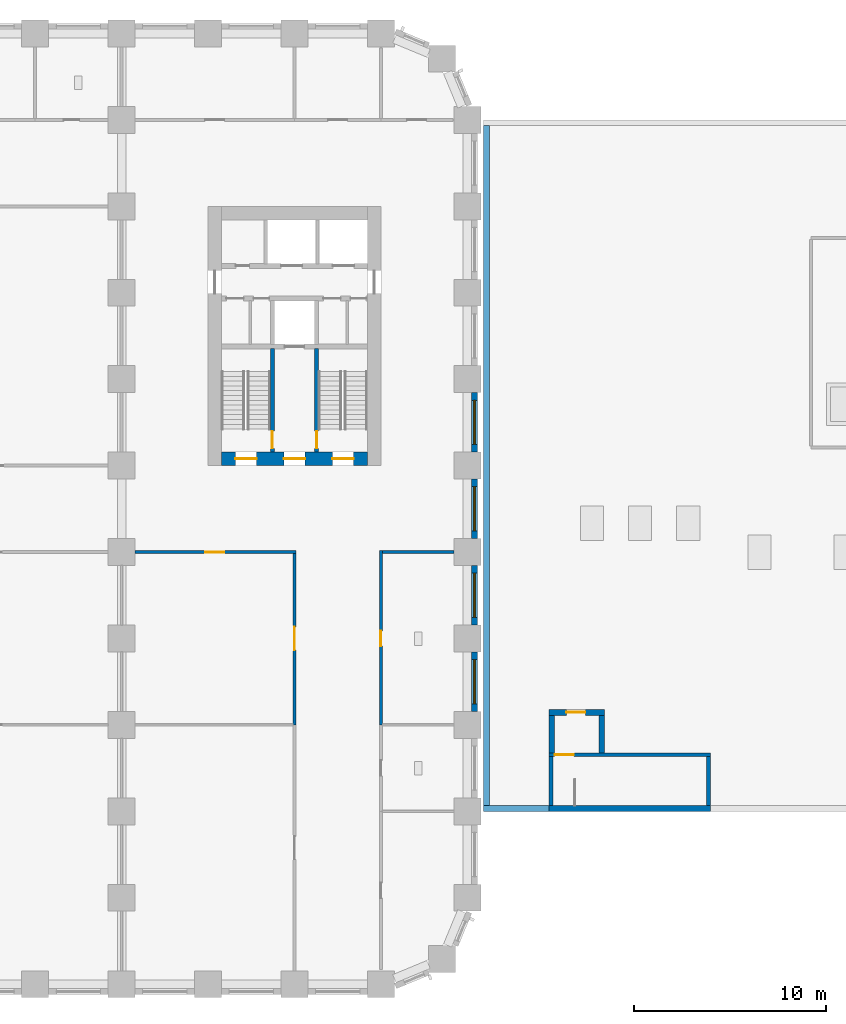
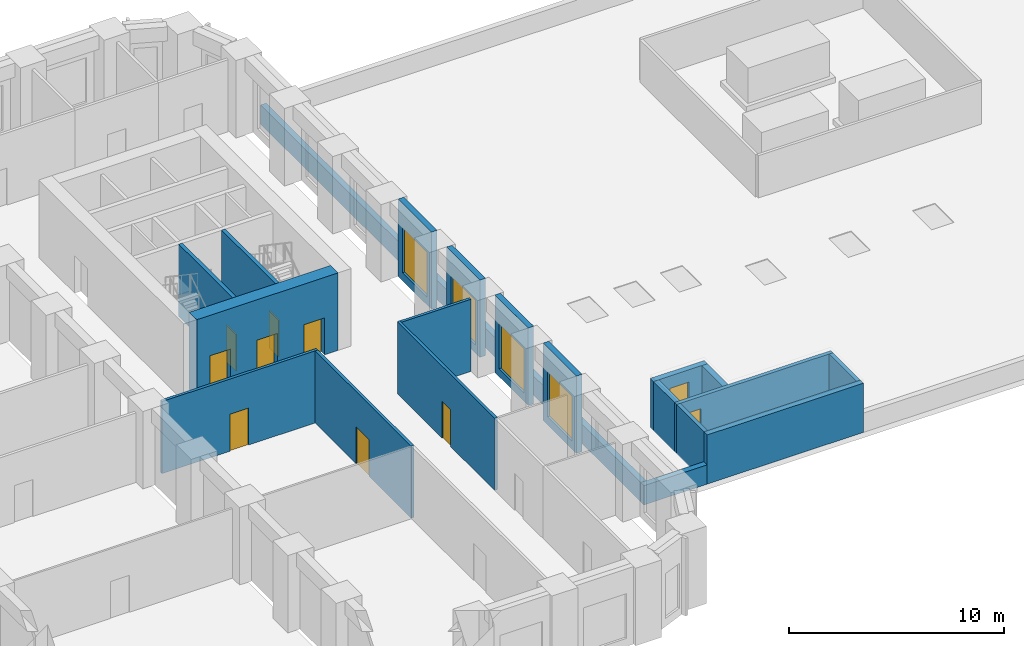
# One storey, part 5 of 14: 20 walls, 10 doors, 4 windows, 14 openings.
"""IFC4 building model written with IfcOpenShell, lengths in metres."""

from ifc_helpers import new_model, si_unit, direction, frame, frame_2d, origin, place, context, subcontext, project, spatial, rectangle, extrude, material, layer, layer_set, type_object, element, fill, save


model = new_model("IFC4")

# Units and contexts
model_context = context("Model", 3, precision=1e-05, world=origin(), true_north=direction((0.0, 1.0)))
body_context = subcontext(model_context, "Body", "Model", "MODEL_VIEW")
ifc_project = project(units=[si_unit("LENGTHUNIT", "METRE"), si_unit("AREAUNIT", "SQUARE_METRE"), si_unit("VOLUMEUNIT", "CUBIC_METRE"), si_unit("PLANEANGLEUNIT", "RADIAN"), si_unit("MASSUNIT", "GRAM", prefix="KILO")], contexts=[model_context])

# Site, building, storey
site_placement = place(None, origin())
site = spatial("IfcSite", under=ifc_project, at=site_placement, CompositionType="ELEMENT")
building_placement = place(site_placement, origin())
building = spatial("IfcBuilding", under=site, at=building_placement, Name="Girih Gate Residences", CompositionType="ELEMENT")
storey_placement = place(building_placement, frame((0.0, 0.0, 26.0)))
storey = spatial("IfcBuildingStorey", under=building, at=storey_placement, Name="L05", CompositionType="ELEMENT", Elevation=26.0)

# Wall, opening, door
ifc_material_1 = material(Name="Gypsum board on steel studs", Category="steel")
ifc_layer_1 = layer(ifc_material_1, 0.14990234375)
ifc_layer_set_1 = layer_set([ifc_layer_1], Name="Compartment wall 150 mm")
wall_type_1 = type_object("IfcWallType", Name="Compartment wall 150 mm", PredefinedType="PARTITIONING", material=ifc_layer_set_1)
wall_1_placement = place(storey_placement, frame((40.574951171875, 22.5, 0.0), z_axis=(0.0, 0.0, 1.0), x_axis=(-1.0, 0.0, 0.0)))
wall_1 = element("IfcWall", 1, at=wall_1_placement, inside=storey, type_object=wall_type_1, Name="L05 partition", PredefinedType="PARTITIONING", context=body_context, shape_type="SweptSolid", body=[
    extrude(rectangle(XDim=8.375, YDim=0.14990234375, at=frame_2d((4.1875, 0.0))), origin(), (0.0, 0.0, 1.0), 4.10009765625),
])
opening_1_placement = place(wall_1_placement, frame((3.72509765625, 0.0, 0.0)))
opening_1 = element("IfcOpeningElement", 2, at=opening_1_placement, cuts=wall_1, Name="Opening D-L05-S-006", PredefinedType="OPENING", context=body_context, shape_type="SweptSolid", body=[
    extrude(rectangle(XDim=1.0, YDim=2.10009765625, at=frame_2d((0.5, 1.050048828125))), frame((0.0, 0.0849609375, 0.0), z_axis=(0.0, -1.0, 0.0), x_axis=(1.0, 0.0, 0.0)), (0.0, 0.0, 1.0), 0.169921875),
])
ifc_material_2 = material(Name="Timber, fire-rated core", Category="wood")
door_type_1 = type_object("IfcDoorType", Name="Amenity door 1000x2100 FD30S", OperationType="SINGLE_SWING_LEFT", PredefinedType="DOOR", material=ifc_material_2)
door_1_placement = place(opening_1_placement, origin())
door_1 = element("IfcDoor", 3, at=door_1_placement, inside=storey, type_object=door_type_1, Name="Door L05-006", OperationType="SINGLE_SWING_RIGHT", OverallHeight=2.10009765625, OverallWidth=1.0, PredefinedType="DOOR", context=body_context, shape_type="SweptSolid", body=[
    extrude(rectangle(XDim=1.0, YDim=2.10009765625, at=frame_2d((0.5, 1.050048828125))), frame((0.0, 0.02490234375, 0.0), z_axis=(0.0, -1.0, 0.0), x_axis=(1.0, 0.0, 0.0)), (0.0, 0.0, 1.0), 0.050048828125),
])
fill(opening_1, door_1)

# Wall
wall_2_placement = place(storey_placement, frame((45.074951171875, 22.5, 0.0), z_axis=(0.0, 0.0, 1.0), x_axis=(1.0, 0.0, 0.0)))
element("IfcWall", 4, at=wall_2_placement, inside=storey, type_object=wall_type_1, Name="L05 partition", PredefinedType="PARTITIONING", context=body_context, shape_type="SweptSolid", body=[
    extrude(rectangle(XDim=3.72509765625, YDim=0.14990234375, at=frame_2d((1.862548828125, 0.0))), origin(), (0.0, 0.0, 1.0), 4.10009765625),
])

# Wall, opening, door
wall_3_placement = place(storey_placement, frame((40.5, 13.5, 0.0), z_axis=(0.0, 0.0, 1.0), x_axis=(0.0, 1.0, 0.0)))
wall_3 = element("IfcWall", 5, at=wall_3_placement, inside=storey, type_object=wall_type_1, Name="L05 partition", PredefinedType="PARTITIONING", context=body_context, shape_type="SweptSolid", body=[
    extrude(rectangle(XDim=8.925048828125, YDim=0.14990234375, at=frame_2d((4.46240234375, 0.0))), origin(), (0.0, 0.0, 1.0), 4.10009765625),
])
opening_2_placement = place(wall_3_placement, frame((3.89990234375, 0.0, 0.0)))
opening_2 = element("IfcOpeningElement", 6, at=opening_2_placement, cuts=wall_3, Name="Opening D-L05-S-011", PredefinedType="OPENING", context=body_context, shape_type="SweptSolid", body=[
    extrude(rectangle(XDim=1.199951171875, YDim=2.10009765625, at=frame_2d((0.60009765625, 1.050048828125))), frame((0.0, 0.0849609375, 0.0), z_axis=(0.0, -1.0, 0.0), x_axis=(1.0, 0.0, 0.0)), (0.0, 0.0, 1.0), 0.169921875),
])
door_type_2 = type_object("IfcDoorType", Name="Gallery fire door 1200x2100 FD30S", OperationType="SINGLE_SWING_LEFT", PredefinedType="DOOR", material=ifc_material_2)
door_2_placement = place(opening_2_placement, origin())
door_2 = element("IfcDoor", 7, at=door_2_placement, inside=storey, type_object=door_type_2, Name="Door L05-011", OperationType="SINGLE_SWING_RIGHT", OverallHeight=2.10009765625, OverallWidth=1.199951171875, PredefinedType="DOOR", context=body_context, shape_type="SweptSolid", body=[
    extrude(rectangle(XDim=1.199951171875, YDim=2.10009765625, at=frame_2d((0.60009765625, 1.050048828125))), frame((0.0, 0.02490234375, 0.0), z_axis=(0.0, -1.0, 0.0), x_axis=(1.0, 0.0, 0.0)), (0.0, 0.0, 1.0), 0.050048828125),
])
fill(opening_2, door_2)

wall_4_placement = place(storey_placement, frame((45.0, 22.574951171875, 0.0), z_axis=(0.0, 0.0, 1.0), x_axis=(0.0, -1.0, 0.0)))
wall_4 = element("IfcWall", 8, at=wall_4_placement, inside=storey, type_object=wall_type_1, Name="L05 partition", PredefinedType="PARTITIONING", context=body_context, shape_type="SweptSolid", body=[
    extrude(rectangle(XDim=9.074951171875, YDim=0.14990234375, at=frame_2d((4.53759765625, 0.0))), origin(), (0.0, 0.0, 1.0), 4.10009765625),
])
opening_3_placement = place(wall_4_placement, frame((4.175048828125, 0.0, 0.0)))
opening_3 = element("IfcOpeningElement", 9, at=opening_3_placement, cuts=wall_4, Name="Opening D-L05-S-014", PredefinedType="OPENING", context=body_context, shape_type="SweptSolid", body=[
    extrude(rectangle(XDim=0.800048828125, YDim=2.10009765625, at=frame_2d((0.39990234375, 1.050048828125))), frame((0.0, 0.0849609375, 0.0), z_axis=(0.0, -1.0, 0.0), x_axis=(1.0, 0.0, 0.0)), (0.0, 0.0, 1.0), 0.169921875),
])
ifc_material_3 = material(Name="Timber", Category="wood")
door_type_3 = type_object("IfcDoorType", Name="WC and store door 800x2100", OperationType="SINGLE_SWING_LEFT", PredefinedType="DOOR", material=ifc_material_3)
door_3_placement = place(opening_3_placement, origin())
door_3 = element("IfcDoor", 10, at=door_3_placement, inside=storey, type_object=door_type_3, Name="Door L05-014", OperationType="SINGLE_SWING_RIGHT", OverallHeight=2.10009765625, OverallWidth=0.800048828125, PredefinedType="DOOR", context=body_context, shape_type="SweptSolid", body=[
    extrude(rectangle(XDim=0.800048828125, YDim=2.10009765625, at=frame_2d((0.39990234375, 1.050048828125))), frame((0.0, 0.02490234375, 0.0), z_axis=(0.0, -1.0, 0.0), x_axis=(1.0, 0.0, 0.0)), (0.0, 0.0, 1.0), 0.050048828125),
])
fill(opening_3, door_3)

# Wall, openings, doors
ifc_material_4 = material(Name="Concrete C60/75", Category="concrete")
ifc_layer_2 = layer(ifc_material_4, 0.699951171875)
ifc_layer_set_2 = layer_set([ifc_layer_2], Name="Core wall RC 700 Concrete C60/75")
wall_type_2 = type_object("IfcWallType", Name="Core wall RC 700 Concrete C60/75", PredefinedType="SOLIDWALL", material=ifc_layer_set_2)
wall_5_placement = place(storey_placement, frame((36.699951171875, 27.35009765625, 0.0), z_axis=(0.0, 0.0, 1.0), x_axis=(1.0, 0.0, 0.0)))
wall_5 = element("IfcWall", 11, at=wall_5_placement, inside=storey, type_object=wall_type_2, Name="Core wall E-S L05", PredefinedType="SOLIDWALL", context=body_context, shape_type="SweptSolid", body=[
    extrude(rectangle(XDim=7.60009765625, YDim=0.699951171875, at=frame_2d((3.800048828125, 0.0))), origin(), (0.0, 0.0, 1.0), 4.39990234375),
])
opening_4_placement = place(wall_5_placement, frame((5.77490234375, 0.0, 0.0)))
opening_4 = element("IfcOpeningElement", 12, at=opening_4_placement, cuts=wall_5, Name="Opening D-L05-E-011", PredefinedType="OPENING", context=body_context, shape_type="SweptSolid", body=[
    extrude(rectangle(XDim=1.10009765625, YDim=2.10009765625, at=frame_2d((0.550048828125, 1.050048828125))), frame((0.0, 0.35986328125, 0.0), z_axis=(0.0, -1.0, 0.0), x_axis=(1.0, 0.0, 0.0)), (0.0, 0.0, 1.0), 0.719970703125),
])
opening_5_placement = place(wall_5_placement, frame((3.25, 0.0, 0.0)))
opening_5 = element("IfcOpeningElement", 13, at=opening_5_placement, cuts=wall_5, Name="Opening D-L05-E-012", PredefinedType="OPENING", context=body_context, shape_type="SweptSolid", body=[
    extrude(rectangle(XDim=1.10009765625, YDim=2.10009765625, at=frame_2d((0.550048828125, 1.050048828125))), frame((0.0, 0.35986328125, 0.0), z_axis=(0.0, -1.0, 0.0), x_axis=(1.0, 0.0, 0.0)), (0.0, 0.0, 1.0), 0.719970703125),
])
opening_6_placement = place(wall_5_placement, frame((0.72509765625, 0.0, 0.0)))
opening_6 = element("IfcOpeningElement", 14, at=opening_6_placement, cuts=wall_5, Name="Opening D-L05-E-013", PredefinedType="OPENING", context=body_context, shape_type="SweptSolid", body=[
    extrude(rectangle(XDim=1.10009765625, YDim=2.10009765625, at=frame_2d((0.550048828125, 1.050048828125))), frame((0.0, 0.35986328125, 0.0), z_axis=(0.0, -1.0, 0.0), x_axis=(1.0, 0.0, 0.0)), (0.0, 0.0, 1.0), 0.719970703125),
])
ifc_material_5 = material(Name="Painted steel, fire-resisting", Category="steel")
door_type_4 = type_object("IfcDoorType", Name="Fire door 1100x2100", OperationType="SINGLE_SWING_LEFT", PredefinedType="DOOR", material=ifc_material_5)
door_4_placement = place(opening_4_placement, origin())
door_4 = element("IfcDoor", 15, at=door_4_placement, inside=storey, type_object=door_type_4, Name="L05 E core door sta-out", OperationType="SINGLE_SWING_LEFT", OverallHeight=2.10009765625, OverallWidth=1.10009765625, PredefinedType="DOOR", context=body_context, shape_type="SweptSolid", body=[
    extrude(rectangle(XDim=1.10009765625, YDim=2.10009765625, at=frame_2d((0.550048828125, 1.050048828125))), frame((0.0, 0.02490234375, 0.0), z_axis=(0.0, -1.0, 0.0), x_axis=(1.0, 0.0, 0.0)), (0.0, 0.0, 1.0), 0.050048828125),
])
fill(opening_4, door_4)
door_5_placement = place(opening_5_placement, origin())
door_5 = element("IfcDoor", 16, at=door_5_placement, inside=storey, type_object=door_type_4, Name="L05 E core door ffl-out", OperationType="SINGLE_SWING_LEFT", OverallHeight=2.10009765625, OverallWidth=1.10009765625, PredefinedType="DOOR", context=body_context, shape_type="SweptSolid", body=[
    extrude(rectangle(XDim=1.10009765625, YDim=2.10009765625, at=frame_2d((0.550048828125, 1.050048828125))), frame((0.0, 0.02490234375, 0.0), z_axis=(0.0, -1.0, 0.0), x_axis=(1.0, 0.0, 0.0)), (0.0, 0.0, 1.0), 0.050048828125),
])
fill(opening_5, door_5)
door_6_placement = place(opening_6_placement, origin())
door_6 = element("IfcDoor", 17, at=door_6_placement, inside=storey, type_object=door_type_4, Name="L05 E core door stb-out", OperationType="SINGLE_SWING_LEFT", OverallHeight=2.10009765625, OverallWidth=1.10009765625, PredefinedType="DOOR", context=body_context, shape_type="SweptSolid", body=[
    extrude(rectangle(XDim=1.10009765625, YDim=2.10009765625, at=frame_2d((0.550048828125, 1.050048828125))), frame((0.0, 0.02490234375, 0.0), z_axis=(0.0, -1.0, 0.0), x_axis=(1.0, 0.0, 0.0)), (0.0, 0.0, 1.0), 0.050048828125),
])
fill(opening_6, door_6)

# Walls
ifc_material_6 = material(Name="Concrete C40/50", Category="concrete")
ifc_layer_3 = layer(ifc_material_6, 0.199951171875)
ifc_layer_set_3 = layer_set([ifc_layer_3], Name="HC Core wall 200 C40/50")
wall_type_3 = type_object("IfcWallType", Name="HC Core wall 200 C40/50", PredefinedType="SHEAR", material=ifc_layer_set_3)
for number, where, z_axis, x_axis, name in (
    (18, (53.85009765625, 9.300048828125, 0.0), (0.0, 0.0, 1.0), (0.0, 1.0, 0.0), "Stair A head-house west wall"),
    (19, (62.050048828125, 9.300048828125, 0.0), (0.0, 0.0, 1.0), (0.0, 1.0, 0.0), "Stair A head-house east wall"),
):
    element("IfcWall", number, at=place(storey_placement, frame(where, z_axis=z_axis, x_axis=x_axis)), inside=storey, type_object=wall_type_3, Name=name, PredefinedType="SHEAR", context=body_context, shape_type="SweptSolid", body=[
        extrude(rectangle(XDim=2.550048828125, YDim=0.199951171875, at=frame_2d((1.27490234375, 0.0))), origin(), (0.0, 0.0, 1.0), 2.800048828125),
    ])

# Wall, opening, door
wall_6_placement = place(storey_placement, frame((53.75, 11.949951171875, 0.0), z_axis=(0.0, 0.0, 1.0), x_axis=(1.0, 0.0, 0.0)))
wall_6 = element("IfcWall", 20, at=wall_6_placement, inside=storey, type_object=wall_type_3, Name="Stair A head-house north wall", PredefinedType="SHEAR", context=body_context, shape_type="SweptSolid", body=[
    extrude(rectangle(XDim=8.39990234375, YDim=0.199951171875, at=frame_2d((4.199951171875, 0.0))), origin(), (0.0, 0.0, 1.0), 2.800048828125),
])
opening_7_placement = place(wall_6_placement, frame((0.300048828125, 0.0, 0.0)))
opening_7 = element("IfcOpeningElement", 21, at=opening_7_placement, cuts=wall_6, Name="Opening HC-ROOF-DOOR-A", PredefinedType="OPENING", context=body_context, shape_type="SweptSolid", body=[
    extrude(rectangle(XDim=1.0, YDim=2.10009765625, at=frame_2d((0.5, 1.050048828125))), frame((0.0, 0.10986328125, 0.0), z_axis=(0.0, -1.0, 0.0), x_axis=(1.0, 0.0, 0.0)), (0.0, 0.0, 1.0), 0.219970703125),
])
ifc_material_7 = material(Name="Steel door set", Category="steel")
door_type_5 = type_object("IfcDoorType", Name="HC Exit door 1000x2100", OperationType="NOTDEFINED", PredefinedType="DOOR", material=ifc_material_7)
door_7_placement = place(opening_7_placement, origin())
door_7 = element("IfcDoor", 22, at=door_7_placement, inside=storey, type_object=door_type_5, Name="Stair A roof door", OperationType="SINGLE_SWING_LEFT", OverallHeight=2.10009765625, OverallWidth=1.0, PredefinedType="DOOR", context=body_context, shape_type="SweptSolid", body=[
    extrude(rectangle(XDim=1.0, YDim=2.10009765625, at=frame_2d((0.5, 1.050048828125))), frame((0.0, 0.02490234375, 0.0), z_axis=(0.0, -1.0, 0.0), x_axis=(1.0, 0.0, 0.0)), (0.0, 0.0, 1.0), 0.050048828125),
])
fill(opening_7, door_7)

# Walls
ifc_material_8 = material(Name="Precast concrete C40/50", Category="concrete")
ifc_layer_4 = layer(ifc_material_8, 0.300048828125)
ifc_layer_set_4 = layer_set([ifc_layer_4], Name="HC Facade wall 300")
wall_type_4 = type_object("IfcWallType", Name="HC Facade wall 300", PredefinedType="SOLIDWALL", material=ifc_layer_set_4)
wall_7_placement = place(storey_placement, frame((53.75, 9.14990234375, 0.0), z_axis=(0.0, 0.0, 1.0), x_axis=(1.0, 0.0, 0.0)))
element("IfcWall", 23, at=wall_7_placement, inside=storey, type_object=wall_type_4, Name="Stair A head-house south wall", PredefinedType="SOLIDWALL", context=body_context, shape_type="SweptSolid", body=[
    extrude(rectangle(XDim=8.39990234375, YDim=0.300048828125, at=frame_2d((4.199951171875, 0.0))), origin(), (0.0, 0.0, 1.0), 2.800048828125),
])
for number, where, z_axis, x_axis, name in (
    (24, (53.89990234375, 12.050048828125, 0.0), (0.0, 0.0, 1.0), (0.0, 1.0, 0.0), "Roof access lobby A west wall"),
    (25, (56.5, 12.050048828125, 0.0), (0.0, 0.0, 1.0), (0.0, 1.0, 0.0), "Roof access lobby A east wall"),
):
    element("IfcWall", number, at=place(storey_placement, frame(where, z_axis=z_axis, x_axis=x_axis)), inside=storey, type_object=wall_type_4, Name=name, PredefinedType="SOLIDWALL", context=body_context, shape_type="SweptSolid", body=[
        extrude(rectangle(XDim=1.949951171875, YDim=0.300048828125, at=frame_2d((0.97509765625, 0.0))), origin(), (0.0, 0.0, 1.0), 2.800048828125),
    ])

# Wall, opening, door
wall_8_placement = place(storey_placement, frame((53.75, 14.14990234375, 0.0), z_axis=(0.0, 0.0, 1.0), x_axis=(1.0, 0.0, 0.0)))
wall_8 = element("IfcWall", 26, at=wall_8_placement, inside=storey, type_object=wall_type_4, Name="Roof access lobby A north wall", PredefinedType="SOLIDWALL", context=body_context, shape_type="SweptSolid", body=[
    extrude(rectangle(XDim=2.89990234375, YDim=0.300048828125, at=frame_2d((1.449951171875, 0.0))), origin(), (0.0, 0.0, 1.0), 2.800048828125),
])
opening_8_placement = place(wall_8_placement, frame((0.89990234375, 0.0, 0.0)))
opening_8 = element("IfcOpeningElement", 27, at=opening_8_placement, cuts=wall_8, Name="Opening HC-ROOF-DOOR-A2", PredefinedType="OPENING", context=body_context, shape_type="SweptSolid", body=[
    extrude(rectangle(XDim=1.0, YDim=2.10009765625, at=frame_2d((0.5, 1.050048828125))), frame((0.0, 0.159912109375, 0.0), z_axis=(0.0, -1.0, 0.0), x_axis=(1.0, 0.0, 0.0)), (0.0, 0.0, 1.0), 0.320068359375),
])
door_8_placement = place(opening_8_placement, origin())
door_8 = element("IfcDoor", 28, at=door_8_placement, inside=storey, type_object=door_type_5, Name="Roof access lobby A roof door", OperationType="SINGLE_SWING_LEFT", OverallHeight=2.10009765625, OverallWidth=1.0, PredefinedType="DOOR", context=body_context, shape_type="SweptSolid", body=[
    extrude(rectangle(XDim=1.0, YDim=2.10009765625, at=frame_2d((0.5, 1.050048828125))), frame((0.0, 0.02490234375, 0.0), z_axis=(0.0, -1.0, 0.0), x_axis=(1.0, 0.0, 0.0)), (0.0, 0.0, 1.0), 0.050048828125),
])
fill(opening_8, door_8)

# Walls
ifc_layer_5 = layer(ifc_material_8, 0.300048828125)
ifc_layer_set_5 = layer_set([ifc_layer_5], Name="HC Parapet wall 300")
wall_type_5 = type_object("IfcWallType", Name="HC Parapet wall 300", PredefinedType="SOLIDWALL", material=ifc_layer_set_5)
wall_9_placement = place(storey_placement, frame((50.35009765625, 9.14990234375, 0.0), z_axis=(0.0, 0.0, 1.0), x_axis=(1.0, 0.0, 0.0)))
element("IfcWall", 29, at=wall_9_placement, inside=storey, type_object=wall_type_5, Name="Roof parapet S1", PredefinedType="SOLIDWALL", context=body_context, shape_type="SweptSolid", body=[
    extrude(rectangle(XDim=3.39990234375, YDim=0.300048828125, at=frame_2d((1.699951171875, 0.0))), origin(), (0.0, 0.0, 1.0), 1.10009765625),
])
wall_10_placement = place(storey_placement, frame((50.5, 9.300048828125, 0.0), z_axis=(0.0, 0.0, 1.0), x_axis=(0.0, 1.0, 0.0)))
element("IfcWall", 30, at=wall_10_placement, inside=storey, type_object=wall_type_5, Name="Roof parapet west", PredefinedType="SOLIDWALL", context=body_context, shape_type="SweptSolid", body=[
    extrude(rectangle(XDim=35.39990234375, YDim=0.300048828125, at=frame_2d((17.699951171875, 0.0))), origin(), (0.0, 0.0, 1.0), 1.10009765625),
])

# Wall, opening, window
ifc_material_9 = material(Name="Precast concrete C50/60", Category="concrete")
ifc_layer_6 = layer(ifc_material_9, 0.080078125, Name="Outer leaf")
ifc_material_10 = material(Name="Rigid PIR insulation")
ifc_layer_7 = layer(ifc_material_10, 0.14990234375, Name="Insulation")
ifc_layer_8 = layer(ifc_material_8, 0.070068359375, Name="Inner leaf")
ifc_layer_set_6 = layer_set([ifc_layer_6, ifc_layer_7, ifc_layer_8], Name="Precast concrete C50/60 external wall 300")
wall_type_6 = type_object("IfcWallType", Name="Precast concrete C50/60 external wall 300", PredefinedType="SOLIDWALL", material=ifc_layer_set_6)
wall_11_placement = place(storey_placement, frame((49.875, 17.300048828125, 0.0), z_axis=(0.0, 0.0, 1.0), x_axis=(0.0, -1.0, 0.0)))
wall_11 = element("IfcWall", 31, at=wall_11_placement, inside=storey, type_object=wall_type_6, Name="External wall E0495_0045.2", PredefinedType="SOLIDWALL", context=body_context, shape_type="SweptSolid", body=[
    extrude(rectangle(XDim=3.10009765625, YDim=0.300048828125, at=frame_2d((1.550048828125, 0.0))), origin(), (0.0, 0.0, 1.0), 4.39990234375),
])
opening_9_placement = place(wall_11_placement, frame((0.39990234375, 0.0, 0.449951171875)))
opening_9 = element("IfcOpeningElement", 32, at=opening_9_placement, cuts=wall_11, Name="Opening W-6", PredefinedType="OPENING", context=body_context, shape_type="SweptSolid", body=[
    extrude(rectangle(XDim=2.300048828125, YDim=2.550048828125, at=frame_2d((1.14990234375, 1.27490234375))), frame((0.0, 0.159912109375, 0.0), z_axis=(0.0, -1.0, 0.0), x_axis=(1.0, 0.0, 0.0)), (0.0, 0.0, 1.0), 0.320068359375),
])
ifc_material_11 = material(Name="Double glazing in aluminium frame", Category="aluminium")
window_type = type_object("IfcWindowType", Name="Window W-6 2300x2550", PartitioningType="SINGLE_PANEL", PredefinedType="WINDOW", material=ifc_material_11)
window_1_placement = place(opening_9_placement, origin())
window_1 = element("IfcWindow", 33, at=window_1_placement, inside=storey, type_object=window_type, Name="Window W-6 E0495_0045.2", OverallHeight=2.550048828125, OverallWidth=2.300048828125, PartitioningType="SINGLE_PANEL", PredefinedType="WINDOW", context=body_context, shape_type="SweptSolid", body=[
    extrude(rectangle(XDim=2.300048828125, YDim=2.550048828125, at=frame_2d((1.14990234375, 1.27490234375))), frame((0.0, 0.030029296875, 0.0), z_axis=(0.0, -1.0, 0.0), x_axis=(1.0, 0.0, 0.0)), (0.0, 0.0, 1.0), 0.06005859375),
])
fill(opening_9, window_1)

wall_12_placement = place(storey_placement, frame((49.875, 21.800048828125, 0.0), z_axis=(0.0, 0.0, 1.0), x_axis=(0.0, -1.0, 0.0)))
wall_12 = element("IfcWall", 34, at=wall_12_placement, inside=storey, type_object=wall_type_6, Name="External wall E0495_0045.3", PredefinedType="SOLIDWALL", context=body_context, shape_type="SweptSolid", body=[
    extrude(rectangle(XDim=3.10009765625, YDim=0.300048828125, at=frame_2d((1.550048828125, 0.0))), origin(), (0.0, 0.0, 1.0), 4.39990234375),
])
opening_10_placement = place(wall_12_placement, frame((0.39990234375, 0.0, 0.449951171875)))
opening_10 = element("IfcOpeningElement", 35, at=opening_10_placement, cuts=wall_12, Name="Opening W-6", PredefinedType="OPENING", context=body_context, shape_type="SweptSolid", body=[
    extrude(rectangle(XDim=2.300048828125, YDim=2.550048828125, at=frame_2d((1.14990234375, 1.27490234375))), frame((0.0, 0.159912109375, 0.0), z_axis=(0.0, -1.0, 0.0), x_axis=(1.0, 0.0, 0.0)), (0.0, 0.0, 1.0), 0.320068359375),
])
window_2_placement = place(opening_10_placement, origin())
window_2 = element("IfcWindow", 36, at=window_2_placement, inside=storey, type_object=window_type, Name="Window W-6 E0495_0045.3", OverallHeight=2.550048828125, OverallWidth=2.300048828125, PartitioningType="SINGLE_PANEL", PredefinedType="WINDOW", context=body_context, shape_type="SweptSolid", body=[
    extrude(rectangle(XDim=2.300048828125, YDim=2.550048828125, at=frame_2d((1.14990234375, 1.27490234375))), frame((0.0, 0.030029296875, 0.0), z_axis=(0.0, -1.0, 0.0), x_axis=(1.0, 0.0, 0.0)), (0.0, 0.0, 1.0), 0.06005859375),
])
fill(opening_10, window_2)

wall_13_placement = place(storey_placement, frame((49.875, 26.300048828125, 0.0), z_axis=(0.0, 0.0, 1.0), x_axis=(0.0, -1.0, 0.0)))
wall_13 = element("IfcWall", 37, at=wall_13_placement, inside=storey, type_object=wall_type_6, Name="External wall E0495_0045.4", PredefinedType="SOLIDWALL", context=body_context, shape_type="SweptSolid", body=[
    extrude(rectangle(XDim=3.10009765625, YDim=0.300048828125, at=frame_2d((1.550048828125, 0.0))), origin(), (0.0, 0.0, 1.0), 4.39990234375),
])
opening_11_placement = place(wall_13_placement, frame((0.39990234375, 0.0, 0.449951171875)))
opening_11 = element("IfcOpeningElement", 38, at=opening_11_placement, cuts=wall_13, Name="Opening W-6", PredefinedType="OPENING", context=body_context, shape_type="SweptSolid", body=[
    extrude(rectangle(XDim=2.300048828125, YDim=2.550048828125, at=frame_2d((1.14990234375, 1.27490234375))), frame((0.0, 0.159912109375, 0.0), z_axis=(0.0, -1.0, 0.0), x_axis=(1.0, 0.0, 0.0)), (0.0, 0.0, 1.0), 0.320068359375),
])
window_3_placement = place(opening_11_placement, origin())
window_3 = element("IfcWindow", 39, at=window_3_placement, inside=storey, type_object=window_type, Name="Window W-6 E0495_0045.4", OverallHeight=2.550048828125, OverallWidth=2.300048828125, PartitioningType="SINGLE_PANEL", PredefinedType="WINDOW", context=body_context, shape_type="SweptSolid", body=[
    extrude(rectangle(XDim=2.300048828125, YDim=2.550048828125, at=frame_2d((1.14990234375, 1.27490234375))), frame((0.0, 0.030029296875, 0.0), z_axis=(0.0, -1.0, 0.0), x_axis=(1.0, 0.0, 0.0)), (0.0, 0.0, 1.0), 0.06005859375),
])
fill(opening_11, window_3)

wall_14_placement = place(storey_placement, frame((49.875, 30.800048828125, 0.0), z_axis=(0.0, 0.0, 1.0), x_axis=(0.0, -1.0, 0.0)))
wall_14 = element("IfcWall", 40, at=wall_14_placement, inside=storey, type_object=wall_type_6, Name="External wall E0495_0045.5", PredefinedType="SOLIDWALL", context=body_context, shape_type="SweptSolid", body=[
    extrude(rectangle(XDim=3.10009765625, YDim=0.300048828125, at=frame_2d((1.550048828125, 0.0))), origin(), (0.0, 0.0, 1.0), 4.39990234375),
])
opening_12_placement = place(wall_14_placement, frame((0.39990234375, 0.0, 0.449951171875)))
opening_12 = element("IfcOpeningElement", 41, at=opening_12_placement, cuts=wall_14, Name="Opening W-6", PredefinedType="OPENING", context=body_context, shape_type="SweptSolid", body=[
    extrude(rectangle(XDim=2.300048828125, YDim=2.550048828125, at=frame_2d((1.14990234375, 1.27490234375))), frame((0.0, 0.159912109375, 0.0), z_axis=(0.0, -1.0, 0.0), x_axis=(1.0, 0.0, 0.0)), (0.0, 0.0, 1.0), 0.320068359375),
])
window_4_placement = place(opening_12_placement, origin())
window_4 = element("IfcWindow", 42, at=window_4_placement, inside=storey, type_object=window_type, Name="Window W-6 E0495_0045.5", OverallHeight=2.550048828125, OverallWidth=2.300048828125, PartitioningType="SINGLE_PANEL", PredefinedType="WINDOW", context=body_context, shape_type="SweptSolid", body=[
    extrude(rectangle(XDim=2.300048828125, YDim=2.550048828125, at=frame_2d((1.14990234375, 1.27490234375))), frame((0.0, 0.030029296875, 0.0), z_axis=(0.0, -1.0, 0.0), x_axis=(1.0, 0.0, 0.0)), (0.0, 0.0, 1.0), 0.06005859375),
])
fill(opening_12, window_4)

# Wall, opening, door
ifc_layer_9 = layer(ifc_material_6, 0.199951171875)
ifc_layer_set_7 = layer_set([ifc_layer_9], Name="Shaft wall 200")
wall_type_7 = type_object("IfcWallType", Name="Shaft wall 200", PredefinedType="SOLIDWALL", material=ifc_layer_set_7)
wall_15_placement = place(storey_placement, frame((41.64990234375, 27.699951171875, 0.0), z_axis=(0.0, 0.0, 1.0), x_axis=(0.0, 1.0, 0.0)))
wall_15 = element("IfcWall", 43, at=wall_15_placement, inside=storey, type_object=wall_type_7, Name="L05 E core wall V1a", PredefinedType="SOLIDWALL", context=body_context, shape_type="SweptSolid", body=[
    extrude(rectangle(XDim=5.400146484375, YDim=0.199951171875, at=frame_2d((2.7001953125, 0.0))), origin(), (0.0, 0.0, 1.0), 4.10009765625),
])
opening_13_placement = place(wall_15_placement, frame((0.199951171875, 0.0, 0.0)))
opening_13 = element("IfcOpeningElement", 44, at=opening_13_placement, cuts=wall_15, Name="Opening D-L05-E-001", PredefinedType="OPENING", context=body_context, shape_type="SweptSolid", body=[
    extrude(rectangle(XDim=0.89990234375, YDim=2.10009765625, at=frame_2d((0.449951171875, 1.050048828125))), frame((0.0, 0.10986328125, 0.0), z_axis=(0.0, -1.0, 0.0), x_axis=(1.0, 0.0, 0.0)), (0.0, 0.0, 1.0), 0.219970703125),
])
door_type_6 = type_object("IfcDoorType", Name="Fire door 900x2100", OperationType="SINGLE_SWING_LEFT", PredefinedType="DOOR", material=ifc_material_5)
door_9_placement = place(opening_13_placement, origin())
door_9 = element("IfcDoor", 45, at=door_9_placement, inside=storey, type_object=door_type_6, Name="L05 E door stair 1 to firefighting lobby", OperationType="SINGLE_SWING_LEFT", OverallHeight=2.10009765625, OverallWidth=0.89990234375, PredefinedType="DOOR", context=body_context, shape_type="SweptSolid", body=[
    extrude(rectangle(XDim=0.89990234375, YDim=2.10009765625, at=frame_2d((0.449951171875, 1.050048828125))), frame((0.0, 0.02490234375, 0.0), z_axis=(0.0, -1.0, 0.0), x_axis=(1.0, 0.0, 0.0)), (0.0, 0.0, 1.0), 0.050048828125),
])
fill(opening_13, door_9)

wall_16_placement = place(storey_placement, frame((39.35009765625, 27.699951171875, 0.0), z_axis=(0.0, 0.0, 1.0), x_axis=(0.0, 1.0, 0.0)))
wall_16 = element("IfcWall", 46, at=wall_16_placement, inside=storey, type_object=wall_type_7, Name="L05 E core wall V2a", PredefinedType="SOLIDWALL", context=body_context, shape_type="SweptSolid", body=[
    extrude(rectangle(XDim=5.400146484375, YDim=0.199951171875, at=frame_2d((2.7001953125, 0.0))), origin(), (0.0, 0.0, 1.0), 4.10009765625),
])
opening_14_placement = place(wall_16_placement, frame((0.199951171875, 0.0, 0.0)))
opening_14 = element("IfcOpeningElement", 47, at=opening_14_placement, cuts=wall_16, Name="Opening D-L05-E-002", PredefinedType="OPENING", context=body_context, shape_type="SweptSolid", body=[
    extrude(rectangle(XDim=0.89990234375, YDim=2.10009765625, at=frame_2d((0.449951171875, 1.050048828125))), frame((0.0, 0.10986328125, 0.0), z_axis=(0.0, -1.0, 0.0), x_axis=(1.0, 0.0, 0.0)), (0.0, 0.0, 1.0), 0.219970703125),
])
door_10_placement = place(opening_14_placement, origin())
door_10 = element("IfcDoor", 48, at=door_10_placement, inside=storey, type_object=door_type_6, Name="L05 E door stair 2 to firefighting lobby", OperationType="SINGLE_SWING_LEFT", OverallHeight=2.10009765625, OverallWidth=0.89990234375, PredefinedType="DOOR", context=body_context, shape_type="SweptSolid", body=[
    extrude(rectangle(XDim=0.89990234375, YDim=2.10009765625, at=frame_2d((0.449951171875, 1.050048828125))), frame((0.0, 0.02490234375, 0.0), z_axis=(0.0, -1.0, 0.0), x_axis=(1.0, 0.0, 0.0)), (0.0, 0.0, 1.0), 0.050048828125),
])
fill(opening_14, door_10)

save(model, "model.ifc")
